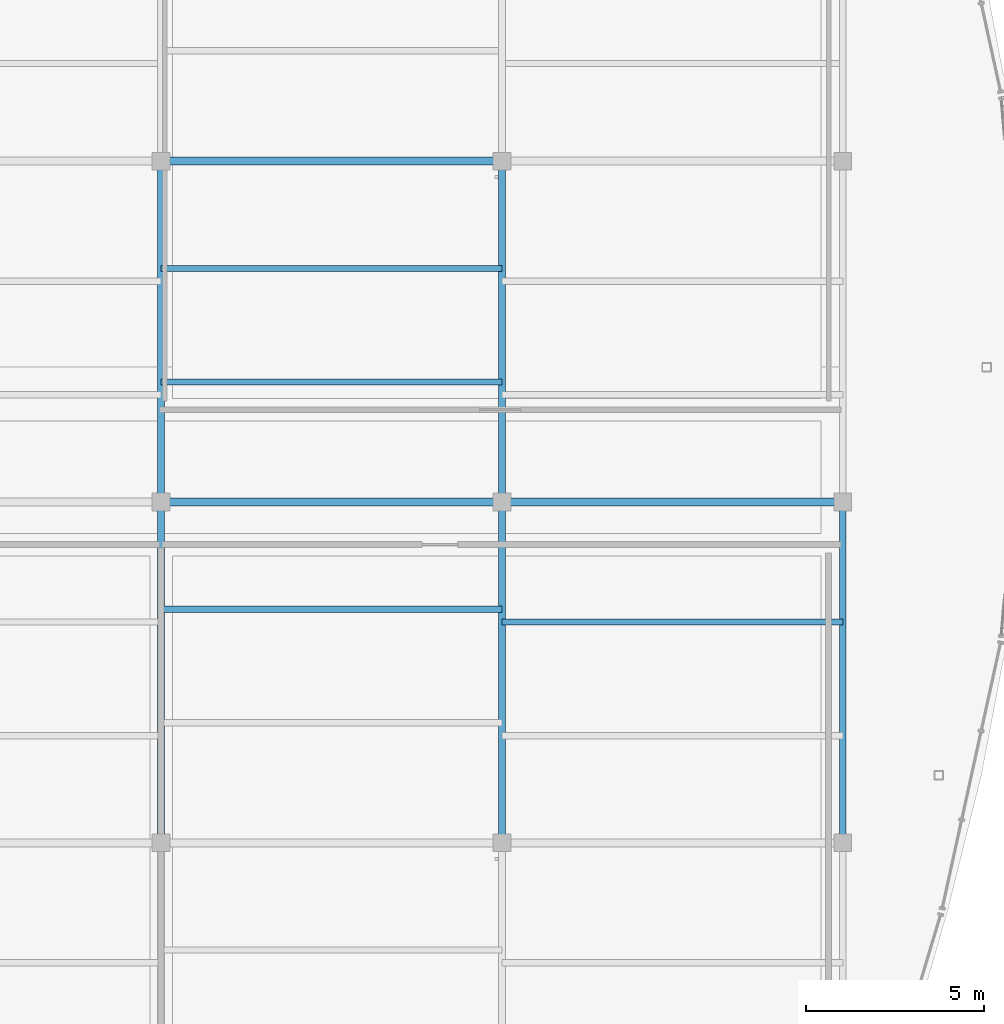
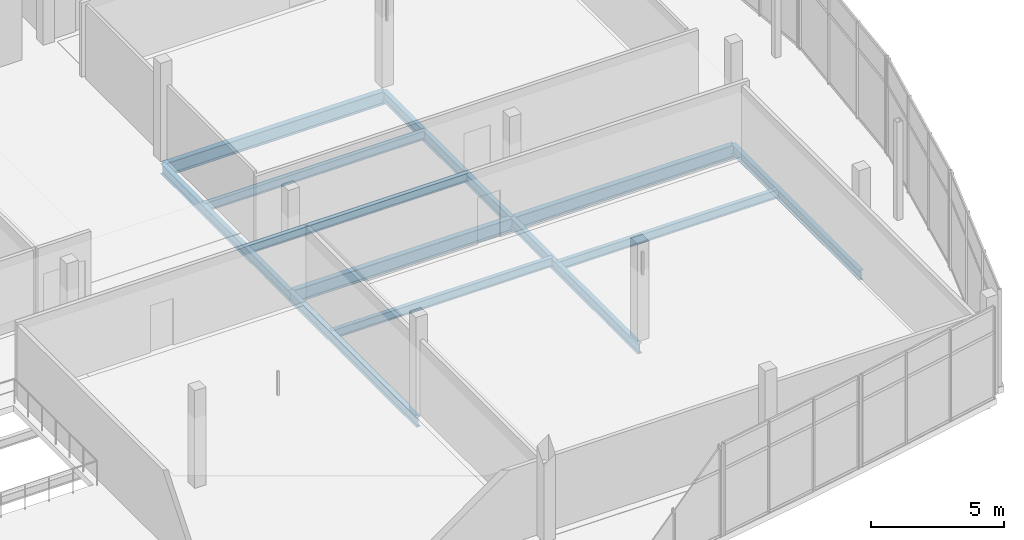
# One storey, part 64 of 114: 12 beams.
"""IFC4 building model written with IfcOpenShell, lengths in metres."""

from ifc_helpers import new_model, si_unit, direction, frame, origin, origin_2d, place, context, subcontext, project, spatial, i_section, extrude, material, material_profile, profile_set, type_object, element, save


model = new_model("IFC4")

# Units and contexts
model_context = context("Model", 3, precision=1e-05, world=origin(), true_north=direction((0.0, 1.0)))
body_context = subcontext(model_context, "Body", "Model", "MODEL_VIEW")
ifc_project = project(units=[si_unit("LENGTHUNIT", "METRE"), si_unit("AREAUNIT", "SQUARE_METRE"), si_unit("VOLUMEUNIT", "CUBIC_METRE"), si_unit("PLANEANGLEUNIT", "RADIAN"), si_unit("MASSUNIT", "GRAM", prefix="KILO")], contexts=[model_context])

# Site, building, storey
site_placement = place(None, origin())
site = spatial("IfcSite", under=ifc_project, at=site_placement, CompositionType="ELEMENT")
building_placement = place(site_placement, origin())
building = spatial("IfcBuilding", under=site, at=building_placement, Name="Chalmorin Arch Market", CompositionType="ELEMENT")
storey_placement = place(building_placement, frame((0.0, 0.0, 9.60009765625)))
storey = spatial("IfcBuildingStorey", under=building, at=storey_placement, Name="L02", CompositionType="ELEMENT", Elevation=9.60009765625)

# Beams
ifc_material = material(Name="Steel A992 Grade 50", Category="steel")
ifc_material_profile_1 = material_profile(ifc_material, i_section(OverallWidth=0.193115234375, OverallDepth=0.466064453125, WebThickness=0.011474609375, FlangeThickness=0.01904296875, FilletRadius=0.02001953125, at=origin_2d()), Name="W18X65")
ifc_profile_set_1 = profile_set([ifc_material_profile_1], Name="Steel A992 Grade 50")
beam_type_1 = type_object("IfcBeamType", Name="FloorSteelBeam-W18X65", PredefinedType="BEAM", material=ifc_profile_set_1)
beam_1_placement = place(storey_placement, frame((96.0, 81.60009765625, -0.51513671875), z_axis=(0.0, 1.0, 0.0), x_axis=(-1.0, 0.0, 0.0)))
element("IfcBeam", 1, at=beam_1_placement, inside=storey, type_object=beam_type_1, Name="BM-W18A-1272", PredefinedType="BEAM", context=body_context, shape_type="SweptSolid", body=[
    extrude(i_section(OverallWidth=0.193115234375, OverallDepth=0.466064453125, WebThickness=0.011474609375, FlangeThickness=0.01904296875, FilletRadius=0.02001953125, at=origin_2d()), origin(), (0.0, 0.0, 1.0), 9.599853515625),
])
beam_2_placement = place(storey_placement, frame((96.0, 91.199951171875, -0.51513671875), z_axis=(0.0, 1.0, 0.0), x_axis=(-1.0, 0.0, 0.0)))
element("IfcBeam", 2, at=beam_2_placement, inside=storey, type_object=beam_type_1, Name="BM-W18A-1274", PredefinedType="BEAM", context=body_context, shape_type="SweptSolid", body=[
    extrude(i_section(OverallWidth=0.193115234375, OverallDepth=0.466064453125, WebThickness=0.011474609375, FlangeThickness=0.01904296875, FilletRadius=0.02001953125, at=origin_2d()), origin(), (0.0, 0.0, 1.0), 9.60009765625),
])
beam_3_placement = place(storey_placement, frame((105.60009765625, 81.60009765625, -0.51513671875), z_axis=(0.0, 1.0, 0.0), x_axis=(-1.0, 0.0, 0.0)))
element("IfcBeam", 3, at=beam_3_placement, inside=storey, type_object=beam_type_1, Name="BM-W18A-1283", PredefinedType="BEAM", context=body_context, shape_type="SweptSolid", body=[
    extrude(i_section(OverallWidth=0.193115234375, OverallDepth=0.466064453125, WebThickness=0.011474609375, FlangeThickness=0.01904296875, FilletRadius=0.02001953125, at=origin_2d()), origin(), (0.0, 0.0, 1.0), 9.599853515625),
])
beam_4_placement = place(storey_placement, frame((105.60009765625, 91.199951171875, -0.51513671875), z_axis=(0.0, 1.0, 0.0), x_axis=(-1.0, 0.0, 0.0)))
element("IfcBeam", 4, at=beam_4_placement, inside=storey, type_object=beam_type_1, Name="BM-W18A-1285", PredefinedType="BEAM", context=body_context, shape_type="SweptSolid", body=[
    extrude(i_section(OverallWidth=0.193115234375, OverallDepth=0.466064453125, WebThickness=0.011474609375, FlangeThickness=0.01904296875, FilletRadius=0.02001953125, at=origin_2d()), origin(), (0.0, 0.0, 1.0), 9.60009765625),
])
ifc_material_profile_2 = material_profile(ifc_material, i_section(OverallWidth=0.19091796875, OverallDepth=0.45703125, WebThickness=0.009033203125, FlangeThickness=0.014404296875, FilletRadius=0.02001953125, at=origin_2d()), Name="W18X50")
ifc_profile_set_2 = profile_set([ifc_material_profile_2], Name="Steel A992 Grade 50")
beam_type_2 = type_object("IfcBeamType", Name="PerimeterSpandrelBeam-W18X50", PredefinedType="SPANDREL", material=ifc_profile_set_2)
beam_5_placement = place(storey_placement, frame((115.199951171875, 81.60009765625, -0.510498046875), z_axis=(0.0, 1.0, 0.0), x_axis=(-1.0, 0.0, 0.0)))
element("IfcBeam", 5, at=beam_5_placement, inside=storey, type_object=beam_type_2, Name="SP-W18-1294", PredefinedType="SPANDREL", context=body_context, shape_type="SweptSolid", body=[
    extrude(i_section(OverallWidth=0.19091796875, OverallDepth=0.45703125, WebThickness=0.009033203125, FlangeThickness=0.014404296875, FilletRadius=0.02001953125, at=origin_2d()), origin(), (0.0, 0.0, 1.0), 9.599853515625),
])
ifc_material_profile_3 = material_profile(ifc_material, i_section(OverallWidth=0.22802734375, OverallDepth=0.60791015625, WebThickness=0.01123046875, FlangeThickness=0.017333984375, FilletRadius=0.02392578125, at=origin_2d()), Name="W24X76")
ifc_profile_set_3 = profile_set([ifc_material_profile_3], Name="Steel A992 Grade 50")
beam_type_3 = type_object("IfcBeamType", Name="PrimarySteelGirder-W24X76", PredefinedType="BEAM", material=ifc_profile_set_3)
for number, where, z_axis, x_axis, name in (
    (6, (96.0, 91.199951171875, -0.586181640625), (1.0, 0.0, 0.0), (0.0, 1.0, 0.0), "BG-W24B-1282"),
    (7, (96.0, 100.800048828125, -0.586181640625), (1.0, 0.0, 0.0), (0.0, 1.0, 0.0), "BG-W24B-1284"),
):
    element("IfcBeam", number, at=place(storey_placement, frame(where, z_axis=z_axis, x_axis=x_axis)), inside=storey, type_object=beam_type_3, Name=name, PredefinedType="BEAM", context=body_context, shape_type="SweptSolid", body=[
        extrude(i_section(OverallWidth=0.22802734375, OverallDepth=0.60791015625, WebThickness=0.01123046875, FlangeThickness=0.017333984375, FilletRadius=0.02392578125, at=origin_2d()), origin(), (0.0, 0.0, 1.0), 9.60009765625),
    ])
beam_6_placement = place(storey_placement, frame((105.60009765625, 91.199951171875, -0.586181640625), z_axis=(1.0, 0.0, 0.0), x_axis=(0.0, 1.0, 0.0)))
element("IfcBeam", 8, at=beam_6_placement, inside=storey, type_object=beam_type_3, Name="BG-W24B-1293", PredefinedType="BEAM", context=body_context, shape_type="SweptSolid", body=[
    extrude(i_section(OverallWidth=0.22802734375, OverallDepth=0.60791015625, WebThickness=0.01123046875, FlangeThickness=0.017333984375, FilletRadius=0.02392578125, at=origin_2d()), origin(), (0.0, 0.0, 1.0), 9.599853515625),
])
ifc_material_profile_4 = material_profile(ifc_material, i_section(OverallWidth=0.177978515625, OverallDepth=0.403076171875, WebThickness=0.007568359375, FlangeThickness=0.010986328125, FilletRadius=0.01806640625, at=origin_2d()), Name="W16X36")
ifc_profile_set_4 = profile_set([ifc_material_profile_4], Name="Steel A992 Grade 50")
beam_type_4 = type_object("IfcBeamType", Name="SecondaryFloorJoist-W16X36", PredefinedType="JOIST", material=ifc_profile_set_4)
for number, where, z_axis, x_axis, name in (
    (9, (96.0, 88.179931640625, -0.483642578125), (1.0, 0.0, 0.0), (0.0, 1.0, 0.0), "BJ-W16B-1346"),
    (10, (96.0, 94.580078125, -0.483642578125), (1.0, 0.0, 0.0), (0.0, 1.0, 0.0), "BJ-W16B-1347"),
    (11, (96.0, 97.780029296875, -0.483642578125), (1.0, 0.0, 0.0), (0.0, 1.0, 0.0), "BJ-W16B-1348"),
):
    element("IfcBeam", number, at=place(storey_placement, frame(where, z_axis=z_axis, x_axis=x_axis)), inside=storey, type_object=beam_type_4, Name=name, PredefinedType="JOIST", context=body_context, shape_type="SweptSolid", body=[
        extrude(i_section(OverallWidth=0.177978515625, OverallDepth=0.403076171875, WebThickness=0.007568359375, FlangeThickness=0.010986328125, FilletRadius=0.01806640625, at=origin_2d()), origin(), (0.0, 0.0, 1.0), 9.60009765625),
    ])
beam_7_placement = place(storey_placement, frame((105.60009765625, 87.820068359375, -0.483642578125), z_axis=(1.0, 0.0, 0.0), x_axis=(0.0, 1.0, 0.0)))
element("IfcBeam", 12, at=beam_7_placement, inside=storey, type_object=beam_type_4, Name="BJ-W16B-1356", PredefinedType="JOIST", context=body_context, shape_type="SweptSolid", body=[
    extrude(i_section(OverallWidth=0.177978515625, OverallDepth=0.403076171875, WebThickness=0.007568359375, FlangeThickness=0.010986328125, FilletRadius=0.01806640625, at=origin_2d()), origin(), (0.0, 0.0, 1.0), 9.599853515625),
])

save(model, "model.ifc")
